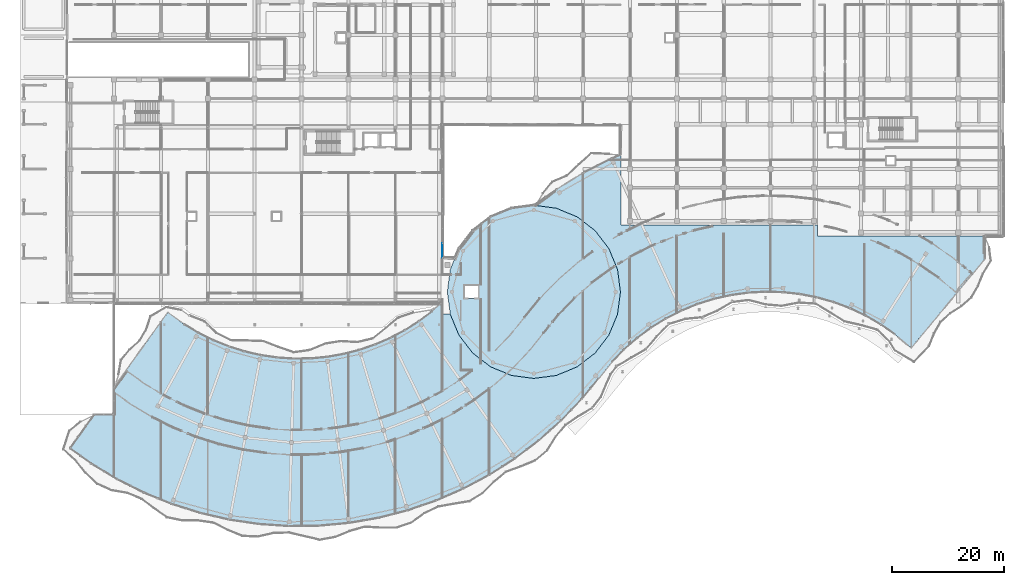
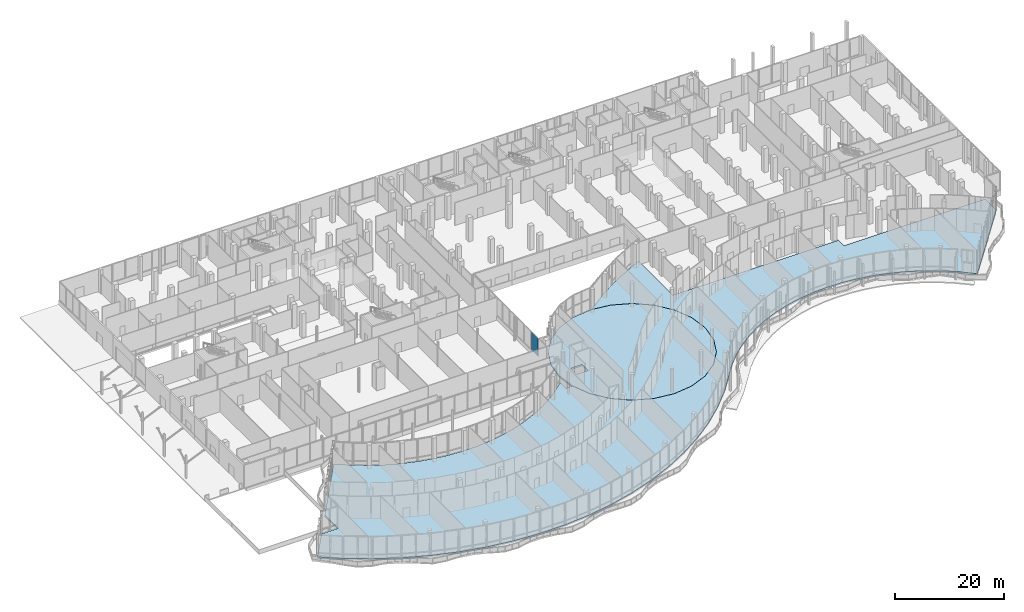
# One storey, part 125 of 158: 2 slabs, 1 plate, 1 element without a shape of its own.
"""IFC4 building model written with IfcOpenShell, lengths in metres."""

from ifc_helpers import new_model, si_unit, direction, frame, origin, origin_2d, place, context, subcontext, project, spatial, polyline, rectangle, outline, extrude, material, layer, layer_set, type_object, element, aggregate, save


model = new_model("IFC4")

# Units and contexts
model_context = context("Model", 3, precision=1e-05, world=origin(), true_north=direction((0.0, 1.0)))
body_context = subcontext(model_context, "Body", "Model", "MODEL_VIEW")
ifc_project = project(units=[si_unit("LENGTHUNIT", "METRE"), si_unit("AREAUNIT", "SQUARE_METRE"), si_unit("VOLUMEUNIT", "CUBIC_METRE"), si_unit("PLANEANGLEUNIT", "RADIAN"), si_unit("MASSUNIT", "GRAM", prefix="KILO")], contexts=[model_context])

# Site, building, storey
site_placement = place(None, origin())
site = spatial("IfcSite", under=ifc_project, at=site_placement, CompositionType="ELEMENT")
building_placement = place(site_placement, origin())
building = spatial("IfcBuilding", under=site, at=building_placement, Name="Selatvlak General Hospital", CompositionType="ELEMENT")
storey_placement = place(building_placement, origin())
storey = spatial("IfcBuildingStorey", under=building, at=storey_placement, Name="L00", CompositionType="ELEMENT", Elevation=0.0)

# Curtain wall, plate
ifc_material_1 = material(Name="Solar-control Low-E double glazing", Category="glass")
curtain_wall_type = type_object("IfcCurtainWallType", Name="CW-CW-02", PredefinedType="USERDEFINED", material=ifc_material_1)
curtain_wall_placement = place(storey_placement, origin())
curtain_wall = element("IfcCurtainWall", 1, at=curtain_wall_placement, inside=storey, type_object=curtain_wall_type, Name="Glazed facade curtain wall CW-L00-0107", ObjectType="UNITISED CURTAIN WALL", PredefinedType="USERDEFINED")
ifc_layer_1 = layer(ifc_material_1, 0.028076171875, Name="Solar-control Low-E double glazing", Category="glass")
ifc_layer_set_1 = layer_set([ifc_layer_1], Name="Solar-control Low-E double glazing")
plate_type = type_object("IfcPlateType", Name="CWP-01", PredefinedType="CURTAIN_PANEL", material=ifc_layer_set_1)
plate_placement = place(storey_placement, frame((81.603271484375, 61.407958984375, 1.0048828125), z_axis=(0.0, 0.0, 1.0), x_axis=(-0.002531637448, -0.999996795401, 0.0)))
plate = element("IfcPlate", 2, at=plate_placement, type_object=plate_type, Name="CW-02 panel 3.1", PredefinedType="CURTAIN_PANEL", context=body_context, shape_type="SweptSolid", body=[
    extrude(rectangle(XDim=2.535888671875, YDim=0.028076171875, at=origin_2d()), origin(), (0.0, 0.0, 1.0), 4.010009765625),
])
aggregate(curtain_wall, [plate])

# Slabs
ifc_material_2 = material(Name="Concrete C40/50", Category="concrete")
ifc_layer_2 = layer(ifc_material_2, 0.35009765625, Name="Concrete C40/50", Category="concrete")
ifc_layer_set_2 = layer_set([ifc_layer_2], Name="Concrete C40/50")
slab_type = type_object("IfcSlabType", Name="SLAB-SL-FL0", PredefinedType="FLOOR", material=ifc_layer_set_2)
slab_1_placement = place(storey_placement, frame((0.0, 0.0, -0.35009765625)))
element("IfcSlab", 3, at=slab_1_placement, inside=storey, type_object=slab_type, Name="L00 V1 structural slab", PredefinedType="FLOOR", context=body_context, shape_type="SweptSolid", body=[
    extrude(outline(polyline([(112.971923828125, 49.988037109375), (111.423095703125, 46.25), (108.9599609375, 43.0400390625), (105.75, 40.576904296875), (102.011962890625, 39.028076171875), (98.0, 38.5), (93.988037109375, 39.028076171875), (90.25, 40.576904296875), (87.0400390625, 43.0400390625), (84.576904296875, 46.25), (83.028076171875, 49.988037109375), (82.5, 54.0), (83.028076171875, 58.011962890625), (84.576904296875, 61.75), (87.0400390625, 64.9599609375), (90.25, 67.423095703125), (93.988037109375, 68.971923828125), (98.0, 69.5), (102.011962890625, 68.971923828125), (105.75, 67.423095703125), (108.9599609375, 64.9599609375), (111.423095703125, 61.75), (112.971923828125, 58.011962890625), (113.5, 54.0), (112.971923828125, 49.988037109375)]), holes=[polyline([(88.0, 55.10009765625), (85.60009765625, 55.10009765625), (85.60009765625, 52.89990234375), (88.0, 52.89990234375), (88.0, 55.10009765625)])]), origin(), (0.0, 0.0, 1.0), 0.35009765625),
])
slab_2_placement = place(storey_placement, frame((0.0, 0.0, -0.35009765625)))
element("IfcSlab", 4, at=slab_2_placement, inside=storey, type_object=slab_type, Name="L00 V6 structural slab", PredefinedType="FLOOR", context=body_context, shape_type="SweptSolid", body=[
    extrude(outline(polyline([(40.549072265625, 45.3310546875), (43.31298828125, 44.2119140625), (46.157958984375, 43.31494140625), (49.06298828125, 42.64697265625), (52.011962890625, 42.212890625), (54.988037109375, 42.012939453125), (57.967041015625, 42.051025390625), (60.93603515625, 42.325927734375), (63.873046875, 42.8359375), (66.763916015625, 43.5791015625), (69.58203125, 44.5458984375), (72.31396484375, 45.735107421875), (74.947021484375, 47.138916015625), (77.4580078125, 48.74609375), (79.83203125, 50.547119140625), (81.450927734375, 51.991943359375), (81.592041015625, 51.991943359375), (81.592041015625, 50.0), (83.01806640625, 49.991943359375), (84.570068359375, 46.2470703125), (87.033935546875, 43.034912109375), (90.2451171875, 40.571044921875), (93.985107421875, 39.02099609375), (97.9990234375, 38.491943359375), (102.012939453125, 39.02001953125), (105.7529296875, 40.570068359375), (108.965087890625, 43.033935546875), (111.428955078125, 46.2451171875), (112.97900390625, 49.985107421875), (113.508056640625, 53.9990234375), (112.97998046875, 58.012939453125), (111.429931640625, 61.7529296875), (108.966064453125, 64.965087890625), (105.7548828125, 67.428955078125), (102.014892578125, 68.97900390625), (98.216064453125, 69.47998046875), (102.152099609375, 72.39111328125), (106.91796875, 75.3369140625), (111.909912109375, 77.876953125), (113.592041015625, 78.56396484375), (113.592041015625, 66.0), (148.7919921875, 65.991943359375), (148.7919921875, 64.0), (178.800048828125, 63.991943359375), (178.800048828125, 59.947998046875), (165.56201171875, 43.9619140625), (162.695068359375, 46.35302734375), (160.14208984375, 48.131103515625), (157.448974609375, 49.693115234375), (154.635009765625, 51.02587890625), (151.722900390625, 52.12109375), (148.73095703125, 52.969970703125), (145.676025390625, 53.568115234375), (142.5810546875, 53.910888671875), (139.468994140625, 53.99609375), (136.364990234375, 53.823974609375), (133.281005859375, 53.39306640625), (130.243896484375, 52.708984375), (127.277099609375, 51.77587890625), (124.39599609375, 50.59912109375), (121.6201171875, 49.18701171875), (118.97412109375, 47.551025390625), (116.471923828125, 45.699951171875), (114.132080078125, 43.64892578125), (111.968994140625, 41.408935546875), (109.6240234375, 38.51904296875), (106.612060546875, 34.837890625), (102.904052734375, 30.9580078125), (98.89990234375, 27.386962890625), (94.6240234375, 24.14208984375), (90.10302734375, 21.2490234375), (85.3701171875, 18.72509765625), (80.447998046875, 16.58203125), (75.3701171875, 14.839111328125), (70.175048828125, 13.506103515625), (64.887939453125, 12.587890625), (59.54296875, 12.093017578125), (54.176025390625, 12.02490234375), (48.822021484375, 12.383056640625), (43.512939453125, 13.1650390625), (38.281982421875, 14.366943359375), (33.1650390625, 15.97998046875), (28.19091796875, 17.9951171875), (23.39306640625, 20.39794921875), (18.799072265625, 23.176025390625), (14.9189453125, 25.951904296875), (19.26904296875, 32.0), (22.800048828125, 32.0), (22.800048828125, 36.907958984375), (32.43701171875, 50.305908203125), (35.3330078125, 48.2080078125), (37.883056640625, 46.666015625), (40.549072265625, 45.3310546875)])), origin(), (0.0, 0.0, 1.0), 0.35009765625),
])

save(model, "model.ifc")
